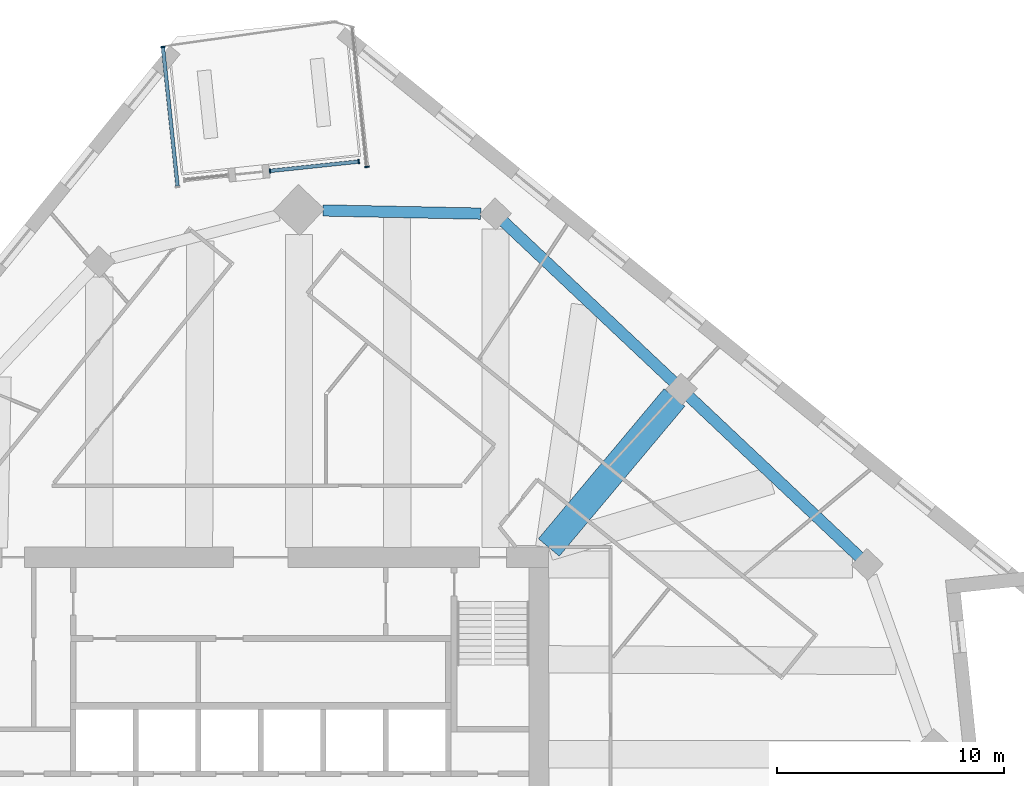
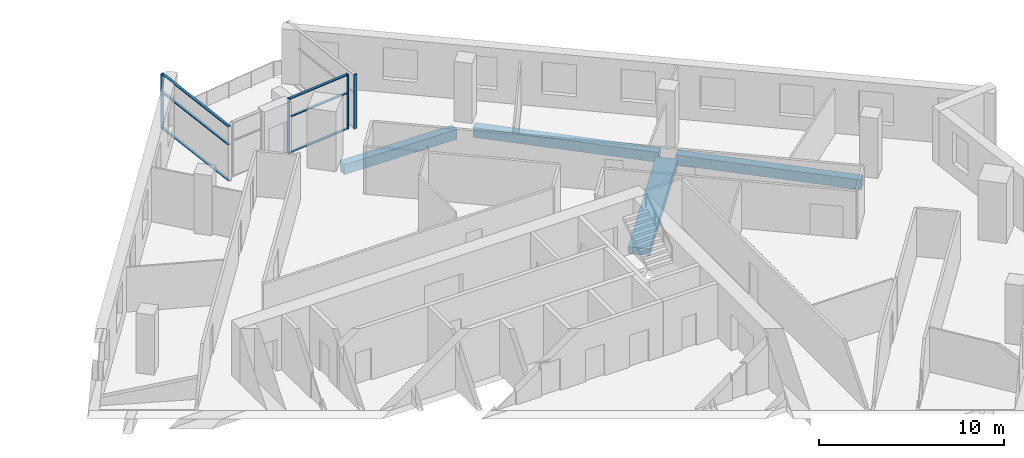
# One storey, part 4 of 14: 10 members, 4 beams, 3 elements without a shape of their own.
"""IFC4 building model written with IfcOpenShell, lengths in metres."""

from ifc_helpers import new_model, si_unit, direction, frame, origin, origin_2d, place, context, subcontext, project, spatial, rectangle, extrude, material, material_profile, profile_set, type_object, element, aggregate, save


model = new_model("IFC4")

# Units and contexts
model_context = context("Model", 3, precision=1e-05, world=origin(), true_north=direction((0.0, 1.0)))
body_context = subcontext(model_context, "Body", "Model", "MODEL_VIEW")
ifc_project = project(units=[si_unit("LENGTHUNIT", "METRE"), si_unit("AREAUNIT", "SQUARE_METRE"), si_unit("VOLUMEUNIT", "CUBIC_METRE"), si_unit("PLANEANGLEUNIT", "RADIAN"), si_unit("MASSUNIT", "GRAM", prefix="KILO")], contexts=[model_context])

# Site, building, storey
site_placement = place(None, origin())
site = spatial("IfcSite", under=ifc_project, at=site_placement, CompositionType="ELEMENT")
building_placement = place(site_placement, origin())
building = spatial("IfcBuilding", under=site, at=building_placement, Name="Dilmun Exchange Tower", CompositionType="ELEMENT")
storey_placement = place(building_placement, frame((0.0, 0.0, 229.300048828125)))
storey = spatial("IfcBuildingStorey", under=building, at=storey_placement, Name="L54", CompositionType="ELEMENT", Elevation=229.300048828125)

# Curtain wall, member
ifc_material_1 = material(Name="Anodised aluminium and clear glass", Category="aluminium")
curtain_wall_type = type_object("IfcCurtainWallType", Name="Garden corner glazing", PredefinedType="NOTDEFINED", material=ifc_material_1)
curtain_wall_1_placement = place(storey_placement, origin())
curtain_wall_1 = element("IfcCurtainWall", 1, at=curtain_wall_1_placement, inside=storey, type_object=curtain_wall_type, Name="Garden corner glazing run GC1.1", PredefinedType="NOTDEFINED")
ifc_material_2 = material(Name="Anodised aluminium", Category="aluminium")
ifc_material_profile_1 = material_profile(ifc_material_2, rectangle(XDim=0.199951171875, YDim=0.06005859375, at=origin_2d()), Name="AL 60x200")
ifc_profile_set_1 = profile_set([ifc_material_profile_1], Name="Anodised aluminium")
member_type_1 = type_object("IfcMemberType", Name="Garden corner glazing mullion 60 x 200", PredefinedType="MULLION", material=ifc_profile_set_1)
member_1_placement = place(storey_placement, frame((4.673583984375, 29.43505859375, 0.0), z_axis=(0.0, 0.0, 1.0), x_axis=(0.994520705874, 0.104539779931, 0.0)))
member_1 = element("IfcMember", 2, at=member_1_placement, type_object=member_type_1, Name="GC1.1 mullion 2", PredefinedType="MULLION", context=body_context, shape_type="SweptSolid", body=[
    extrude(rectangle(XDim=0.199951171875, YDim=0.06005859375, at=origin_2d()), origin(), (0.0, 0.0, 1.0), 3.619873046875),
])
aggregate(curtain_wall_1, [member_1])

# Curtain wall, members
curtain_wall_2_placement = place(storey_placement, origin())
curtain_wall_2 = element("IfcCurtainWall", 3, at=curtain_wall_2_placement, inside=storey, type_object=curtain_wall_type, Name="Garden corner glazing run GC2.1", PredefinedType="NOTDEFINED")
member_2_placement = place(storey_placement, frame((4.31689453125, 29.669189453125, 0.0), z_axis=(0.0, 0.0, 1.0), x_axis=(0.104536020157, -0.994521101078, 0.0)))
member_2 = element("IfcMember", 4, at=member_2_placement, type_object=member_type_1, Name="GC2.1 mullion 1", PredefinedType="MULLION", context=body_context, shape_type="SweptSolid", body=[
    extrude(rectangle(XDim=0.199951171875, YDim=0.06005859375, at=origin_2d()), origin(), (0.0, 0.0, 1.0), 3.619873046875),
])
member_3_placement = place(storey_placement, frame((0.409423828125, 29.258544921875, 0.0), z_axis=(0.0, 0.0, 1.0), x_axis=(0.104536020157, -0.994521101078, 0.0)))
member_3 = element("IfcMember", 5, at=member_3_placement, type_object=member_type_1, Name="GC2.1 mullion 2", PredefinedType="MULLION", context=body_context, shape_type="SweptSolid", body=[
    extrude(rectangle(XDim=0.199951171875, YDim=0.06005859375, at=origin_2d()), origin(), (0.0, 0.0, 1.0), 3.619873046875),
])

# Curtain wall, member
curtain_wall_3_placement = place(storey_placement, origin())
curtain_wall_3 = element("IfcCurtainWall", 6, at=curtain_wall_3_placement, inside=storey, type_object=curtain_wall_type, Name="Garden corner glazing run GC3.1", PredefinedType="NOTDEFINED")
member_4_placement = place(storey_placement, frame((-4.3056640625, 34.7119140625, 0.0), z_axis=(0.0, 0.0, 1.0), x_axis=(-0.994520705874, -0.104539779931, 0.0)))
member_4 = element("IfcMember", 7, at=member_4_placement, type_object=member_type_1, Name="GC3.1 mullion 2", PredefinedType="MULLION", context=body_context, shape_type="SweptSolid", body=[
    extrude(rectangle(XDim=0.199951171875, YDim=0.06005859375, at=origin_2d()), origin(), (0.0, 0.0, 1.0), 3.619873046875),
])

# Member
ifc_material_profile_2 = material_profile(ifc_material_2, rectangle(XDim=0.159912109375, YDim=0.06005859375, at=origin_2d()), Name="AL 60x160")
ifc_profile_set_2 = profile_set([ifc_material_profile_2], Name="Anodised aluminium")
member_type_2 = type_object("IfcMemberType", Name="Garden corner glazing transom 60 x 160", PredefinedType="USERDEFINED", material=ifc_profile_set_2)
member_5_placement = place(storey_placement, frame((4.287109375, 29.666015625, 0.030029296875), z_axis=(-0.994518929052, -0.104556682028, 0.0), x_axis=(0.104556682028, -0.994518929052, 0.0)))
member_5 = element("IfcMember", 8, at=member_5_placement, type_object=member_type_2, Name="GC2.1 transom 1.1", ObjectType="TRANSOM", PredefinedType="USERDEFINED", context=body_context, shape_type="SweptSolid", body=[
    extrude(rectangle(XDim=0.159912109375, YDim=0.06005859375, at=origin_2d()), origin(), (0.0, 0.0, 1.0), 3.869140625),
])

member_6_placement = place(storey_placement, frame((4.287109375, 29.666015625, 2.39990234375), z_axis=(-0.994518929052, -0.104556682028, 0.0), x_axis=(0.104556682028, -0.994518929052, 0.0)))
member_6 = element("IfcMember", 9, at=member_6_placement, type_object=member_type_2, Name="GC2.1 transom 1.2", ObjectType="TRANSOM", PredefinedType="USERDEFINED", context=body_context, shape_type="SweptSolid", body=[
    extrude(rectangle(XDim=0.159912109375, YDim=0.06005859375, at=origin_2d()), origin(), (0.0, 0.0, 1.0), 3.869140625),
])

member_7_placement = place(storey_placement, frame((4.287109375, 29.666015625, 3.58984375), z_axis=(-0.994518929052, -0.104556682028, 0.0), x_axis=(0.104556682028, -0.994518929052, 0.0)))
member_7 = element("IfcMember", 10, at=member_7_placement, type_object=member_type_2, Name="GC2.1 transom 1.3", ObjectType="TRANSOM", PredefinedType="USERDEFINED", context=body_context, shape_type="SweptSolid", body=[
    extrude(rectangle(XDim=0.159912109375, YDim=0.06005859375, at=origin_2d()), origin(), (0.0, 0.0, 1.0), 3.869140625),
])

aggregate(curtain_wall_2, [member_2, member_3, member_5, member_6, member_7])

member_8_placement = place(storey_placement, frame((-3.661865234375, 28.589111328125, 0.030029296875), z_axis=(-0.104564471724, 0.994518110068, 0.0), x_axis=(-0.994518110068, -0.104564471724, 0.0)))
member_8 = element("IfcMember", 11, at=member_8_placement, type_object=member_type_2, Name="GC3.1 transom 1.1", ObjectType="TRANSOM", PredefinedType="USERDEFINED", context=body_context, shape_type="SweptSolid", body=[
    extrude(rectangle(XDim=0.159912109375, YDim=0.06005859375, at=origin_2d()), origin(), (0.0, 0.0, 1.0), 6.126708984375),
])

member_9_placement = place(storey_placement, frame((-3.661865234375, 28.589111328125, 2.39990234375), z_axis=(-0.104564471724, 0.994518110068, 0.0), x_axis=(-0.994518110068, -0.104564471724, 0.0)))
member_9 = element("IfcMember", 12, at=member_9_placement, type_object=member_type_2, Name="GC3.1 transom 1.2", ObjectType="TRANSOM", PredefinedType="USERDEFINED", context=body_context, shape_type="SweptSolid", body=[
    extrude(rectangle(XDim=0.159912109375, YDim=0.06005859375, at=origin_2d()), origin(), (0.0, 0.0, 1.0), 6.126708984375),
])

member_10_placement = place(storey_placement, frame((-3.661865234375, 28.589111328125, 3.58984375), z_axis=(-0.104564471724, 0.994518110068, 0.0), x_axis=(-0.994518110068, -0.104564471724, 0.0)))
member_10 = element("IfcMember", 13, at=member_10_placement, type_object=member_type_2, Name="GC3.1 transom 1.3", ObjectType="TRANSOM", PredefinedType="USERDEFINED", context=body_context, shape_type="SweptSolid", body=[
    extrude(rectangle(XDim=0.159912109375, YDim=0.06005859375, at=origin_2d()), origin(), (0.0, 0.0, 1.0), 6.126708984375),
])

aggregate(curtain_wall_3, [member_4, member_8, member_9, member_10])

# Beams
ifc_material_3 = material(Name="Concrete C40/50", Category="concrete")
ifc_material_profile_3 = material_profile(ifc_material_3, rectangle(XDim=1.199951171875, YDim=0.449951171875, at=origin_2d()), Name="1200 x 450")
ifc_profile_set_3 = profile_set([ifc_material_profile_3], Name="Concrete C40/50")
beam_type_1 = type_object("IfcBeamType", Name="RC band beam 1200 x 450 C40/50", PredefinedType="BEAM", material=ifc_profile_set_3)
beam_1_placement = place(storey_placement, frame((18.2158203125, 19.28369140625, -0.705078125), z_axis=(-0.642200063897, -0.766537068856, 0.0), x_axis=(0.766537068856, -0.642200063897, 0.0)))
element("IfcBeam", 14, at=beam_1_placement, inside=storey, type_object=beam_type_1, Name="Band beam 15", PredefinedType="BEAM", context=body_context, shape_type="SweptSolid", body=[
    extrude(rectangle(XDim=1.199951171875, YDim=0.449951171875, at=origin_2d()), origin(), (0.0, 0.0, 1.0), 8.615966796875),
])
ifc_material_profile_4 = material_profile(ifc_material_3, rectangle(XDim=0.5, YDim=0.64990234375, at=origin_2d()), Name="500 x 650")
ifc_profile_set_4 = profile_set([ifc_material_profile_4], Name="Concrete C40/50")
beam_type_2 = type_object("IfcBeamType", Name="RC ring beam 500 x 650 C40/50", PredefinedType="SPANDREL", material=ifc_profile_set_4)
beam_2_placement = place(storey_placement, frame((26.36181640625, 12.25537109375, -0.705078125), z_axis=(-0.727685706374, 0.68591071776, 0.0), x_axis=(-0.68591071776, -0.727685706374, 0.0)))
element("IfcBeam", 15, at=beam_2_placement, inside=storey, type_object=beam_type_2, Name="Ring beam 14", PredefinedType="SPANDREL", context=body_context, shape_type="SweptSolid", body=[
    extrude(rectangle(XDim=0.5, YDim=0.64990234375, at=origin_2d()), origin(), (0.0, 0.0, 1.0), 10.30322265625),
])
beam_3_placement = place(storey_placement, frame((18.17578125, 19.971435546875, -0.705078125), z_axis=(-0.727682990869, 0.685913598641, 0.0), x_axis=(-0.685913598641, -0.727682990869, 0.0)))
element("IfcBeam", 16, at=beam_3_placement, inside=storey, type_object=beam_type_2, Name="Ring beam 15", PredefinedType="SPANDREL", context=body_context, shape_type="SweptSolid", body=[
    extrude(rectangle(XDim=0.5, YDim=0.64990234375, at=origin_2d()), origin(), (0.0, 0.0, 1.0), 10.3046875),
])
beam_4_placement = place(storey_placement, frame((9.685791015625, 27.376953125, -0.705078125), z_axis=(-0.999797424966, 0.020127320539, 0.0), x_axis=(-0.020127320539, -0.999797424966, 0.0)))
element("IfcBeam", 17, at=beam_4_placement, inside=storey, type_object=beam_type_2, Name="Ring beam 16", PredefinedType="SPANDREL", context=body_context, shape_type="SweptSolid", body=[
    extrude(rectangle(XDim=0.5, YDim=0.64990234375, at=origin_2d()), origin(), (0.0, 0.0, 1.0), 6.950439453125),
])

save(model, "model.ifc")
